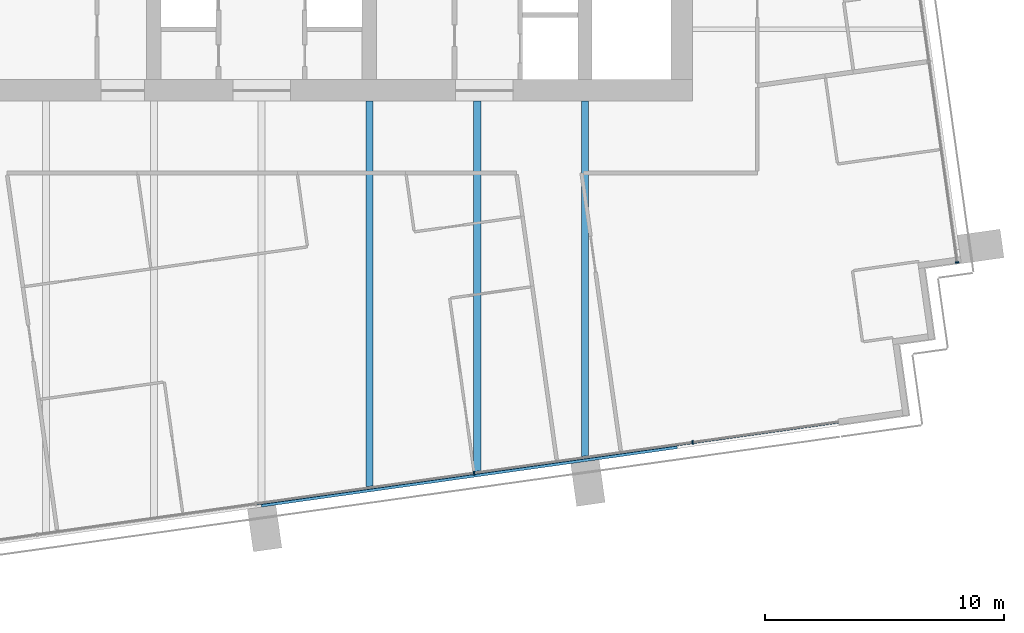
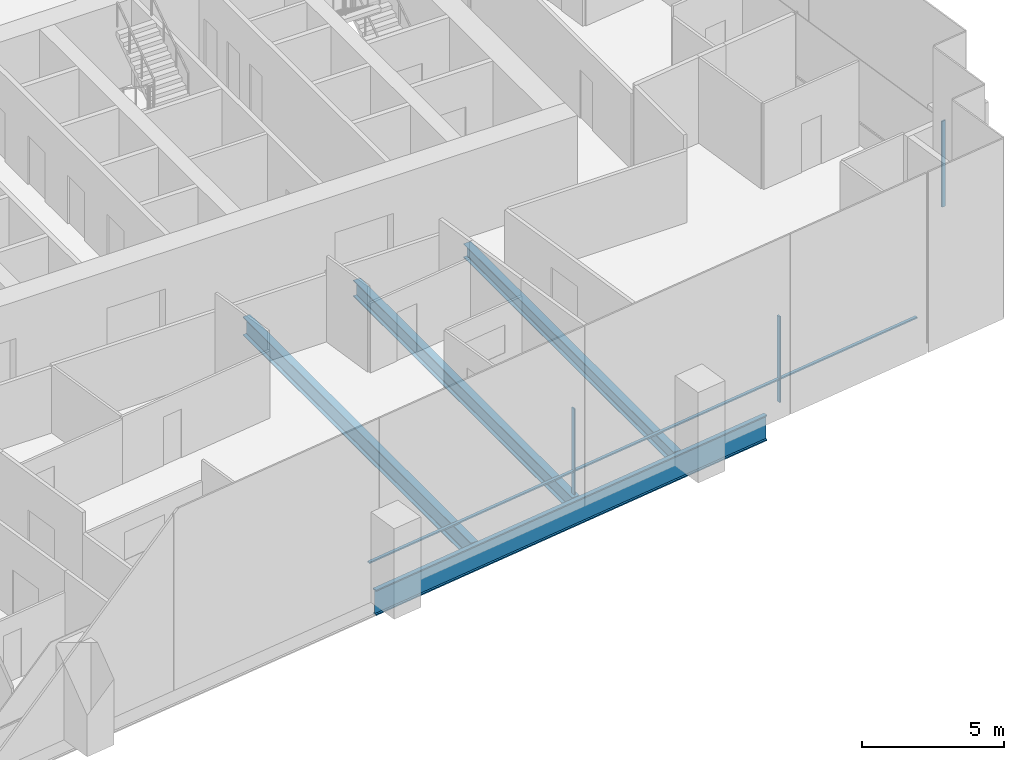
# One storey, part 4 of 17: 6 members, 4 beams, 2 elements without a shape of their own.
"""IFC4 building model written with IfcOpenShell, lengths in metres."""

import ifcopenshell
import ifcopenshell.guid

model = None  # the IFC model being written
_history = None  # IfcOwnerHistory: only IFC2X3 demands one
_inside = {}  # id of a spatial element -> (the spatial element, [elements in it])
_under = {}  # id of a project, library or spatial element -> (it, [spatial elements below it])
_declared = {}  # id of a project -> (the project, [libraries it declares])
_typed = {}  # id of a type object -> (the type object, [elements of that type])
_made_of = {}  # id of a material, layer set ... -> (it, [elements and type objects made of it])


def new_model(schema):
    """Start an empty IFC model of exactly this schema.

    Asked for "IFC4X3", IfcOpenShell would pick the latest addendum, in which some entities
    have other attributes; the version numbers below select the first issue.
    IFC2X3 requires an IfcOwnerHistory on every rooted entity: one is made here for all.
    """
    global model, _history
    if schema == "IFC4X3":
        model = ifcopenshell.file(schema_version=(4, 3, 0, 0))
    else:
        model = ifcopenshell.file(schema=schema)
    _inside.clear()
    _under.clear()
    _declared.clear()
    _typed.clear()
    _made_of.clear()
    _history = None
    if model.schema == "IFC2X3":
        org = make("IfcOrganization", Name="unknown")
        user = make(
            "IfcPersonAndOrganization",
            ThePerson=make("IfcPerson", FamilyName="unknown"),
            TheOrganization=org,
        )
        app = make(
            "IfcApplication",
            ApplicationDeveloper=org,
            Version="unknown",
            ApplicationFullName="unknown",
            ApplicationIdentifier="unknown",
        )
        _history = make(
            "IfcOwnerHistory",
            OwningUser=user,
            OwningApplication=app,
            ChangeAction="ADDED",
            CreationDate=0,
        )
    return model


def make(cls, **values):
    """One entity of the class cls with the attributes given. An attribute that is None is left unset."""
    return model.create_entity(
        cls, **{name: value for name, value in values.items() if value is not None}
    )


def rooted(cls, **values):
    """An entity with a GlobalId (a new one), such as an element, a storey or a relation."""
    return make(cls, GlobalId=ifcopenshell.guid.new(), OwnerHistory=_history, **values)


def si_unit(unit_type, name, prefix=None):
    """IfcSIUnit, for example si_unit("LENGTHUNIT", "METRE", prefix="MILLI")."""
    return make("IfcSIUnit", UnitType=unit_type, Prefix=prefix, Name=name)


def assignment(units):
    """IfcUnitAssignment: the units of a project."""
    return None if units is None else make("IfcUnitAssignment", Units=units)


def point(xyz):
    """IfcCartesianPoint."""
    return None if xyz is None else make("IfcCartesianPoint", Coordinates=xyz)


def direction(xyz):
    """IfcDirection."""
    return None if xyz is None else make("IfcDirection", DirectionRatios=xyz)


def frame(location, z_axis=None, x_axis=None):
    """IfcAxis2Placement3D, a coordinate frame: its origin and axes. An axis left out is left unset."""
    return make(
        "IfcAxis2Placement3D",
        Location=point(location),
        Axis=direction(z_axis),
        RefDirection=direction(x_axis),
    )


def frame_2d(location, x_axis=None):
    """IfcAxis2Placement2D, a coordinate frame in the plane: its origin and x axis."""
    return make(
        "IfcAxis2Placement2D", Location=point(location), RefDirection=direction(x_axis)
    )


def origin():
    """The frame at (0, 0, 0) with its axes left unset."""
    return frame((0.0, 0.0, 0.0))


def origin_2d():
    """The frame at (0, 0) in the plane with its x axis left unset."""
    return frame_2d((0.0, 0.0))


def place(relative_to, where):
    """IfcLocalPlacement: puts the frame where relative to a parent placement (None: the world)."""
    return make(
        "IfcLocalPlacement", PlacementRelTo=relative_to, RelativePlacement=where
    )


def context(
    kind, dimensions, precision=None, world=None, true_north=None, identifier=None
):
    """IfcGeometricRepresentationContext, for example the 3D "Model" context."""
    return make(
        "IfcGeometricRepresentationContext",
        ContextIdentifier=identifier,
        ContextType=kind,
        CoordinateSpaceDimension=dimensions,
        Precision=precision,
        WorldCoordinateSystem=world,
        TrueNorth=true_north,
    )


def subcontext(parent, identifier, kind, view, scale=None):
    """IfcGeometricRepresentationSubContext, for example "Body" below "Model"."""
    return make(
        "IfcGeometricRepresentationSubContext",
        ContextIdentifier=identifier,
        ContextType=kind,
        ParentContext=parent,
        TargetScale=scale,
        TargetView=view,
    )


def project(units=None, contexts=None):
    """IfcProject with its units and contexts."""
    return rooted(
        "IfcProject",
        Name="project",
        RepresentationContexts=contexts,
        UnitsInContext=assignment(units),
    )


def spatial(cls, under=None, at=None, **own):
    """A site, building, storey or space (cls), placed at a placement, below another one or the project."""
    s = rooted(cls, ObjectPlacement=at, **own)
    if under is not None:
        _under.setdefault(under.id(), (under, []))[1].append(s)
    return s


def profile(cls, at=None, kind="AREA", **sizes):
    """A parametric profile (cls). Its sizes go by their IFC names, for example OverallWidth=200.0."""
    return make(cls, ProfileType=kind, Position=at, **sizes)


def rectangle(**sizes):
    """IfcRectangleProfileDef."""
    return profile("IfcRectangleProfileDef", **sizes)


def i_section(**sizes):
    """IfcIShapeProfileDef."""
    return profile("IfcIShapeProfileDef", **sizes)


def extrude(swept, where, along, depth):
    """IfcExtrudedAreaSolid: the profile swept, set in the frame where, extruded along a direction by depth."""
    return make(
        "IfcExtrudedAreaSolid",
        SweptArea=swept,
        Position=where,
        ExtrudedDirection=direction(along),
        Depth=depth,
    )


def shape(context_of_items, identifier, shape_type, items):
    """IfcShapeRepresentation: the items that make up one representation, for example the "Body"."""
    return make(
        "IfcShapeRepresentation",
        ContextOfItems=context_of_items,
        RepresentationIdentifier=identifier,
        RepresentationType=shape_type,
        Items=items,
    )


def material(Name=None, Category=None):
    """IfcMaterial."""
    return make("IfcMaterial", Name=Name, Category=Category)


def material_profile(
    of_material, cross_section, Name=None, Category=None, Priority=None
):
    """IfcMaterialProfile: a cross section and its material."""
    return make(
        "IfcMaterialProfile",
        Name=Name,
        Material=of_material,
        Profile=cross_section,
        Priority=Priority,
        Category=Category,
    )


def profile_set(profiles, Name=None, composite=None):
    """IfcMaterialProfileSet."""
    return make(
        "IfcMaterialProfileSet",
        Name=Name,
        MaterialProfiles=profiles,
        CompositeProfile=composite,
    )


def made_of(thing, what):
    """Note that an element or type object is made of a material, layer set ...; save() writes the relation."""
    if what is not None:
        _made_of.setdefault(what.id(), (what, []))[1].append(thing)
    return thing


def type_object(cls, material=None, **own):
    """A type object (cls), such as IfcWallType, which elements share."""
    return made_of(rooted(cls, **own), material)


def element(
    cls,
    number,
    at=None,
    inside=None,
    cuts=None,
    type_object=None,
    material=None,
    context=None,
    identifier="Body",
    shape_type=None,
    held_by="IfcProductDefinitionShape",
    body=None,
    shapes=None,
    **own,
):
    """One element of the class cls, such as IfcWall. Its Tag is "e" and its number.

    at: its placement. inside: the storey or other place that contains it. cuts: it is an
    opening in that element (IfcRelVoidsElement). A single representation is given by context,
    identifier, shape_type and body (its items); several are given by shapes. held_by: the class
    of the entity that holds the representations. save() writes the other relations.
    """
    e = rooted(cls, Tag="e%d" % number, ObjectPlacement=at, **own)
    if body is not None:
        shapes = [shape(context, identifier, shape_type, body)]
    if shapes is not None:
        e.Representation = make(held_by, Representations=shapes)
    if inside is not None:
        _inside.setdefault(inside.id(), (inside, []))[1].append(e)
    if cuts is not None:
        rooted(
            "IfcRelVoidsElement", RelatingBuildingElement=cuts, RelatedOpeningElement=e
        )
    if type_object is not None:
        _typed.setdefault(type_object.id(), (type_object, []))[1].append(e)
    return made_of(e, material)


def aggregate(whole, parts):
    """IfcRelAggregates: a whole, such as a stair, and the parts it consists of."""
    return rooted("IfcRelAggregates", RelatingObject=whole, RelatedObjects=parts)


def save(model, path):
    """Write the relations noted so far, then the file.

    IfcRelAggregates (storeys below a building ...), IfcRelContainedInSpatialStructure (elements
    in a storey), IfcRelDefinesByType, IfcRelAssociatesMaterial and IfcRelDeclares: one each for
    every whole, place, type object, material and project.
    """
    for whole, parts in _under.values():
        aggregate(whole, parts)
    for where, things in _inside.values():
        rooted(
            "IfcRelContainedInSpatialStructure",
            RelatedElements=things,
            RelatingStructure=where,
        )
    for kind, things in _typed.values():
        rooted("IfcRelDefinesByType", RelatedObjects=things, RelatingType=kind)
    for what, things in _made_of.values():
        rooted("IfcRelAssociatesMaterial", RelatedObjects=things, RelatingMaterial=what)
    for by, libraries in _declared.values():
        rooted("IfcRelDeclares", RelatingContext=by, RelatedDefinitions=libraries)
    model.write(path)


model = new_model("IFC4")

# Units and contexts
model_context = context("Model", 3, precision=1e-05, world=origin(), true_north=direction((0.0, 1.0)))
body_context = subcontext(model_context, "Body", "Model", "MODEL_VIEW")
ifc_project = project(units=[si_unit("LENGTHUNIT", "METRE"), si_unit("AREAUNIT", "SQUARE_METRE"), si_unit("VOLUMEUNIT", "CUBIC_METRE"), si_unit("PLANEANGLEUNIT", "RADIAN"), si_unit("MASSUNIT", "GRAM", prefix="KILO")], contexts=[model_context])

# Site, building, storey
site_placement = place(None, origin())
site = spatial("IfcSite", under=ifc_project, at=site_placement, CompositionType="ELEMENT")
building_placement = place(site_placement, origin())
building = spatial("IfcBuilding", under=site, at=building_placement, Name="Rattan Terrace Tower", CompositionType="ELEMENT")
storey_placement = place(building_placement, frame((0.0, 0.0, 180.199951171875)))
storey = spatial("IfcBuildingStorey", under=building, at=storey_placement, Name="L41", CompositionType="ELEMENT", Elevation=180.199951171875)

# Curtain wall, member
ifc_material_1 = material(Name="Aluminium and glass", Category="aluminium")
curtain_wall_type = type_object("IfcCurtainWallType", Name="Facade Unitised Curtain Wall", PredefinedType="NOTDEFINED", material=ifc_material_1)
curtain_wall_1_placement = place(storey_placement, origin())
curtain_wall_1 = element("IfcCurtainWall", 1, at=curtain_wall_1_placement, inside=storey, type_object=curtain_wall_type, Name="Curtain wall L41-1", PredefinedType="NOTDEFINED")
ifc_material_2 = material(Name="Aluminium", Category="aluminium")
ifc_material_profile_1 = material_profile(ifc_material_2, rectangle(XDim=0.06005859375, YDim=0.159912109375, at=origin_2d()), Name="Aluminium 60x160")
ifc_profile_set_1 = profile_set([ifc_material_profile_1], Name="Aluminium")
member_type_1 = type_object("IfcMemberType", Name="Facade CW Mullion 60x160", PredefinedType="MULLION", material=ifc_profile_set_1)
member_1_placement = place(storey_placement, frame((29.037109375, -14.2333984375, 0.0), z_axis=(0.0, 0.0, 1.0), x_axis=(-0.139190856006, 0.99026557327, 0.0)))
member_1 = element("IfcMember", 2, at=member_1_placement, type_object=member_type_1, Name="Mullion cwl-L41-001.1", PredefinedType="MULLION", context=body_context, shape_type="SweptSolid", body=[
    extrude(rectangle(XDim=0.06005859375, YDim=0.159912109375, at=origin_2d()), origin(), (0.0, 0.0, 1.0), 3.699951171875),
])
aggregate(curtain_wall_1, [member_1])

# Curtain wall, members
curtain_wall_2_placement = place(storey_placement, origin())
curtain_wall_2 = element("IfcCurtainWall", 3, at=curtain_wall_2_placement, inside=storey, type_object=curtain_wall_type, Name="Curtain wall L41-4", PredefinedType="NOTDEFINED")
member_2_placement = place(storey_placement, frame((8.873291015625, -23.0302734375, 0.0), z_axis=(0.0, 0.0, 1.0), x_axis=(0.990269702686, 0.139161474347, 0.0)))
member_2 = element("IfcMember", 4, at=member_2_placement, type_object=member_type_1, Name="Mullion cwl-L41-004.4", PredefinedType="MULLION", context=body_context, shape_type="SweptSolid", body=[
    extrude(rectangle(XDim=0.06005859375, YDim=0.159912109375, at=origin_2d()), origin(), (0.0, 0.0, 1.0), 3.699951171875),
])
member_3_placement = place(storey_placement, frame((17.996826171875, -21.748291015625, 0.0), z_axis=(0.0, 0.0, 1.0), x_axis=(0.990269702686, 0.139161474347, 0.0)))
member_3 = element("IfcMember", 5, at=member_3_placement, type_object=member_type_1, Name="Mullion cwl-L41-004.5", PredefinedType="MULLION", context=body_context, shape_type="SweptSolid", body=[
    extrude(rectangle(XDim=0.06005859375, YDim=0.159912109375, at=origin_2d()), origin(), (0.0, 0.0, 1.0), 3.699951171875),
])
ifc_material_3 = material(Name="Aluminium", Category="aluminium")
ifc_material_profile_2 = material_profile(ifc_material_3, rectangle(XDim=0.1201171875, YDim=0.06005859375, at=origin_2d()), Name="Aluminium 120x60")
ifc_profile_set_2 = profile_set([ifc_material_profile_2], Name="Aluminium")
member_type_2 = type_object("IfcMemberType", Name="Facade CW Transom 120x60", PredefinedType="USERDEFINED", material=ifc_profile_set_2)
member_4_placement = place(storey_placement, frame((-0.22021484375, -24.308349609375, 1.0), z_axis=(0.990267035849, 0.139180450171, 0.0), x_axis=(-0.139180450171, 0.990267035849, 0.0)))
member_4 = element("IfcMember", 6, at=member_4_placement, type_object=member_type_2, Name="Transom cwl-L41-004.3", ObjectType="TRANSOM", PredefinedType="USERDEFINED", context=body_context, shape_type="SweptSolid", body=[
    extrude(rectangle(XDim=0.1201171875, YDim=0.06005859375, at=origin_2d()), origin(), (0.0, 0.0, 1.0), 9.153076171875),
])
member_5_placement = place(storey_placement, frame((8.903076171875, -23.026123046875, 1.0), z_axis=(0.990270711765, 0.139154293575, 0.0), x_axis=(-0.139154293575, 0.990270711765, 0.0)))
member_5 = element("IfcMember", 7, at=member_5_placement, type_object=member_type_2, Name="Transom cwl-L41-004.4", ObjectType="TRANSOM", PredefinedType="USERDEFINED", context=body_context, shape_type="SweptSolid", body=[
    extrude(rectangle(XDim=0.1201171875, YDim=0.06005859375, at=origin_2d()), origin(), (0.0, 0.0, 1.0), 9.153076171875),
])
member_6_placement = place(storey_placement, frame((18.0263671875, -21.744140625, 1.0), z_axis=(0.990267752185, 0.139175353357, 0.0), x_axis=(-0.139175353357, 0.990267752185, 0.0)))
member_6 = element("IfcMember", 8, at=member_6_placement, type_object=member_type_2, Name="Transom cwl-L41-004.5", ObjectType="TRANSOM", PredefinedType="USERDEFINED", context=body_context, shape_type="SweptSolid", body=[
    extrude(rectangle(XDim=0.1201171875, YDim=0.06005859375, at=origin_2d()), origin(), (0.0, 0.0, 1.0), 6.11865234375),
])
aggregate(curtain_wall_2, [member_2, member_3, member_4, member_5, member_6])

# Beams
ifc_material_4 = material(Name="Steel S460", Category="steel")
ifc_material_profile_3 = material_profile(ifc_material_4, i_section(OverallWidth=0.179931640625, OverallDepth=1.10009765625, WebThickness=0.01611328125, FlangeThickness=0.050048828125, at=origin_2d()), Name="PG 1100x180-16-50")
ifc_profile_set_3 = profile_set([ifc_material_profile_3], Name="Steel S460")
beam_type_1 = type_object("IfcBeamType", Name="Frame edge girder PG 1100x180-16-50", PredefinedType="SPANDREL", material=ifc_profile_set_3)
beam_1_placement = place(storey_placement, frame((17.347900390625, -21.9208984375, -0.75), z_axis=(-0.990273554652, -0.139134061096, 0.0), x_axis=(0.139134061096, -0.990273554652, 0.0)))
element("IfcBeam", 9, at=beam_1_placement, inside=storey, type_object=beam_type_1, Name="gdr-L41-002", PredefinedType="SPANDREL", context=body_context, shape_type="SweptSolid", body=[
    extrude(i_section(OverallWidth=0.179931640625, OverallDepth=1.10009765625, WebThickness=0.01611328125, FlangeThickness=0.050048828125, at=origin_2d()), origin(), (0.0, 0.0, 1.0), 17.53125),
])
ifc_material_5 = material(Name="Steel S355", Category="steel")
ifc_material_profile_4 = material_profile(ifc_material_5, i_section(OverallWidth=0.300048828125, OverallDepth=0.60009765625, WebThickness=0.015380859375, FlangeThickness=0.030029296875, FilletRadius=0.027099609375, at=origin_2d()), Name="HE 600 B")
ifc_profile_set_4 = profile_set([ifc_material_profile_4], Name="Steel S355")
beam_type_2 = type_object("IfcBeamType", Name="Frame floor beam HE 600 B", PredefinedType="JOIST", material=ifc_profile_set_4)
beam_2_placement = place(storey_placement, frame((13.5, -22.35009765625, -0.5), z_axis=(0.0, 1.0, 0.0), x_axis=(-1.0, 0.0, 0.0)))
element("IfcBeam", 10, at=beam_2_placement, inside=storey, type_object=beam_type_2, Name="bm-L41-009", PredefinedType="JOIST", context=body_context, shape_type="SweptSolid", body=[
    extrude(i_section(OverallWidth=0.300048828125, OverallDepth=0.60009765625, WebThickness=0.015380859375, FlangeThickness=0.030029296875, FilletRadius=0.027099609375, at=origin_2d()), origin(), (0.0, 0.0, 1.0), 14.85009765625),
])
ifc_material_6 = material(Name="Steel S355", Category="steel")
ifc_material_profile_5 = material_profile(ifc_material_6, i_section(OverallWidth=0.300048828125, OverallDepth=0.699951171875, WebThickness=0.01708984375, FlangeThickness=0.031982421875, FilletRadius=0.027099609375, at=origin_2d()), Name="HE 700 B")
ifc_profile_set_5 = profile_set([ifc_material_profile_5], Name="Steel S355")
beam_type_3 = type_object("IfcBeamType", Name="Frame floor beam HE 700 B", PredefinedType="JOIST", material=ifc_profile_set_5)
beam_3_placement = place(storey_placement, frame((9.0, -22.98193359375, -0.550048828125), z_axis=(0.0, 1.0, 0.0), x_axis=(-1.0, 0.0, 0.0)))
element("IfcBeam", 11, at=beam_3_placement, inside=storey, type_object=beam_type_3, Name="bm-L41-008", PredefinedType="JOIST", context=body_context, shape_type="SweptSolid", body=[
    extrude(i_section(OverallWidth=0.300048828125, OverallDepth=0.699951171875, WebThickness=0.01708984375, FlangeThickness=0.031982421875, FilletRadius=0.027099609375, at=origin_2d()), origin(), (0.0, 0.0, 1.0), 15.48193359375),
])
ifc_material_7 = material(Name="Steel S355", Category="steel")
ifc_material_profile_6 = material_profile(ifc_material_7, i_section(OverallWidth=0.300048828125, OverallDepth=0.800048828125, WebThickness=0.017578125, FlangeThickness=0.032958984375, FilletRadius=0.030029296875, at=origin_2d()), Name="HE 800 B")
ifc_profile_set_6 = profile_set([ifc_material_profile_6], Name="Steel S355")
beam_type_4 = type_object("IfcBeamType", Name="Frame floor beam HE 800 B", PredefinedType="JOIST", material=ifc_profile_set_6)
beam_4_placement = place(storey_placement, frame((4.5, -23.614013671875, -0.599853515625), z_axis=(0.0, 1.0, 0.0), x_axis=(-1.0, 0.0, 0.0)))
element("IfcBeam", 12, at=beam_4_placement, inside=storey, type_object=beam_type_4, Name="bm-L41-007", PredefinedType="JOIST", context=body_context, shape_type="SweptSolid", body=[
    extrude(i_section(OverallWidth=0.300048828125, OverallDepth=0.800048828125, WebThickness=0.017578125, FlangeThickness=0.032958984375, FilletRadius=0.030029296875, at=origin_2d()), origin(), (0.0, 0.0, 1.0), 16.114013671875),
])

save(model, "model.ifc")
